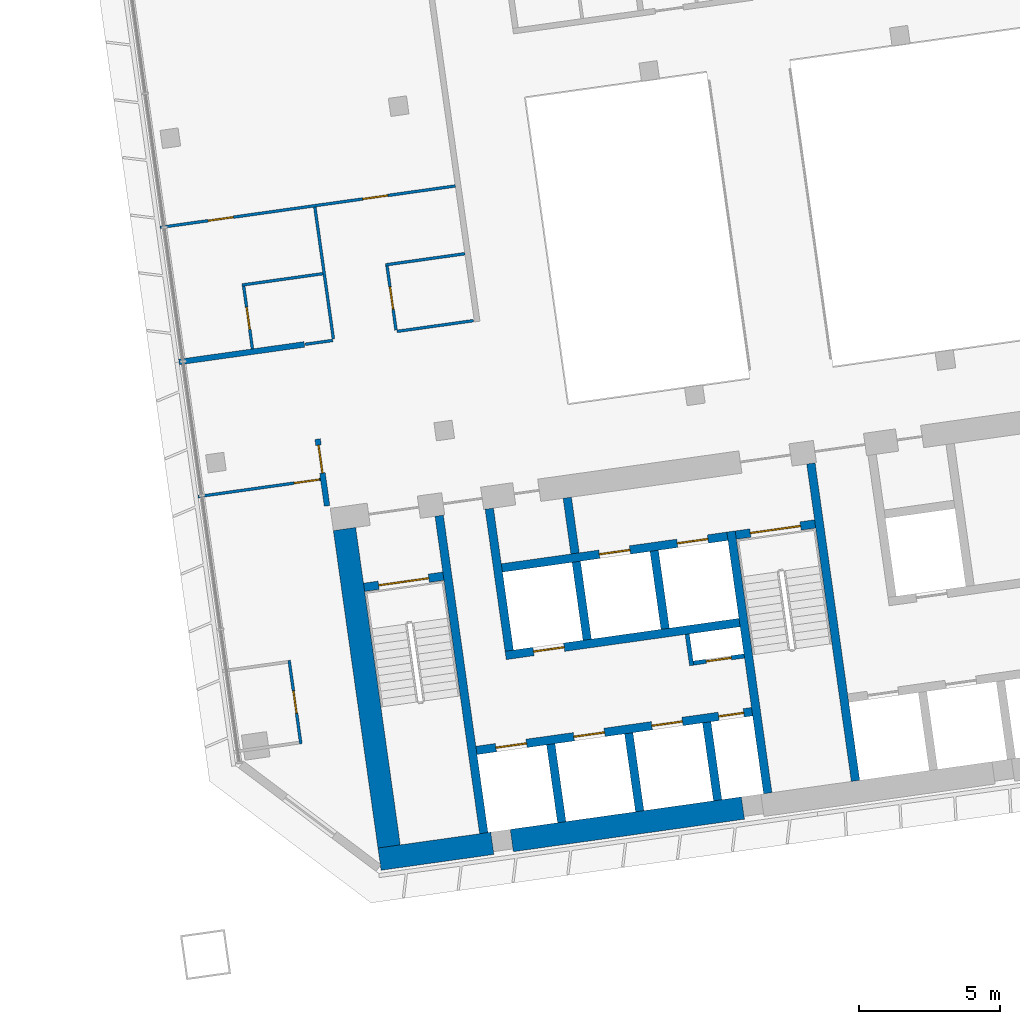
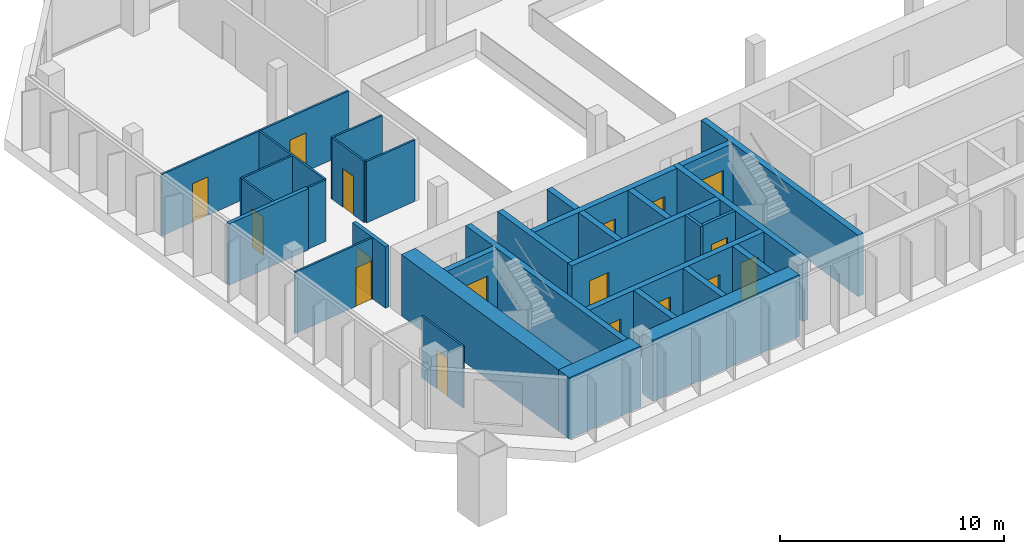
# One storey, part 19 of 26: 32 walls, 17 doors, 17 openings.
"""IFC4 building model written with IfcOpenShell, lengths in metres."""

from ifc_helpers import new_model, si_unit, direction, frame, frame_2d, origin, place, context, subcontext, project, spatial, rectangle, extrude, material, layer, layer_set, type_object, element, fill, save


model = new_model("IFC4")

# Units and contexts
model_context = context("Model", 3, precision=1e-05, world=origin(), true_north=direction((0.0, 1.0)))
body_context = subcontext(model_context, "Body", "Model", "MODEL_VIEW")
ifc_project = project(units=[si_unit("LENGTHUNIT", "METRE"), si_unit("AREAUNIT", "SQUARE_METRE"), si_unit("VOLUMEUNIT", "CUBIC_METRE"), si_unit("PLANEANGLEUNIT", "RADIAN"), si_unit("MASSUNIT", "GRAM", prefix="KILO")], contexts=[model_context])

# Site, building, storey
site_placement = place(None, origin())
site = spatial("IfcSite", under=ifc_project, at=site_placement, CompositionType="ELEMENT")
building_placement = place(site_placement, origin())
building = spatial("IfcBuilding", under=site, at=building_placement, Name="Mirante Cascada Hotel Towers", CompositionType="ELEMENT")
storey_placement = place(building_placement, frame((0.0, 0.0, 140.5)))
storey = spatial("IfcBuildingStorey", under=building, at=storey_placement, Name="L32", CompositionType="ELEMENT", Elevation=140.5)

# Wall
ifc_material_1 = material(Name="Fire-rated plasterboard on metal studs")
ifc_layer_1 = layer(ifc_material_1, 0.2)
ifc_layer_set_1 = layer_set([ifc_layer_1], Name="Compartment wall 200 EI 120")
wall_type_1 = type_object("IfcWallType", Name="Compartment wall 200 EI 120", PredefinedType="PARTITIONING", material=ifc_layer_set_1)
wall_1_placement = place(storey_placement, frame((34.4562, -1.3737, 0.0), z_axis=(0.0, 0.0, 1.0), x_axis=(-0.9902674, -0.1391779, 0.0)))
element("IfcWall", 1, at=wall_1_placement, inside=storey, type_object=wall_type_1, Name="Wall 2-L32-04", PredefinedType="PARTITIONING", context=body_context, shape_type="SweptSolid", body=[
    extrude(rectangle(XDim=4.5, YDim=0.2, at=frame_2d((2.25, 0.0))), origin(), (0.0, 0.0, 1.0), 3.35),
])

# Wall, opening, door
wall_2_placement = place(storey_placement, frame((34.9294, -4.7406, 0.0), z_axis=(0.0, 0.0, 1.0), x_axis=(0.1391635, -0.9902694, 0.0)))
wall_2 = element("IfcWall", 2, at=wall_2_placement, inside=storey, type_object=wall_type_1, Name="Wall 2-L32-32", PredefinedType="PARTITIONING", context=body_context, shape_type="SweptSolid", body=[
    extrude(rectangle(XDim=2.4001, YDim=0.2, at=frame_2d((1.2, 0.0))), origin(), (0.0, 0.0, 1.0), 3.35),
])
opening_1_placement = place(wall_2_placement, frame((0.2167, 0.0, 0.0)))
opening_1 = element("IfcOpeningElement", 3, at=opening_1_placement, cuts=wall_2, Name="Opening D2-L32-24", PredefinedType="OPENING", context=body_context, shape_type="SweptSolid", body=[
    extrude(rectangle(XDim=1.0, YDim=2.1, at=frame_2d((0.5, 1.05))), frame((0.0, 0.1, 0.0), z_axis=(0.0, -1.0, 0.0), x_axis=(1.0, 0.0, 0.0)), (0.0, 0.0, 1.0), 0.2),
])
ifc_material_2 = material(Name="Fire-rated timber door leaf", Category="wood")
door_type_1 = type_object("IfcDoorType", Name="Entrance door DG1 1000x2100 EI 60", OperationType="SINGLE_SWING_LEFT", PredefinedType="DOOR", material=ifc_material_2)
door_1_placement = place(opening_1_placement, frame((1.0, 0.0, 0.0), z_axis=(0.0, 0.0, 1.0), x_axis=(-1.0, 0.0, 0.0)))
door_1 = element("IfcDoor", 4, at=door_1_placement, inside=storey, type_object=door_type_1, Name="Door D2-L32-24", OperationType="SINGLE_SWING_RIGHT", OverallHeight=2.1, OverallWidth=1.0, PredefinedType="DOOR", context=body_context, shape_type="SweptSolid", body=[
    extrude(rectangle(XDim=1.0, YDim=2.1, at=frame_2d((0.5, 1.05))), frame((0.0, 0.025, 0.0), z_axis=(0.0, -1.0, 0.0), x_axis=(1.0, 0.0, 0.0)), (0.0, 0.0, 1.0), 0.05),
])
fill(opening_1, door_1)

# Wall
ifc_material_3 = material(Name="Masonry block", Category="masonry")
ifc_layer_2 = layer(ifc_material_3, 0.15)
ifc_layer_set_2 = layer_set([ifc_layer_2], Name="Core room partition 150 block EI 30")
wall_type_2 = type_object("IfcWallType", Name="Core room partition 150 block EI 30", PredefinedType="PARTITIONING", material=ifc_layer_set_2)
wall_3_placement = place(storey_placement, frame((48.2295, -12.793, 0.0), z_axis=(0.0, 0.0, 1.0), x_axis=(-0.1391935, 0.9902652, 0.0)))
element("IfcWall", 5, at=wall_3_placement, inside=storey, type_object=wall_type_2, Name="Core wall partition T2 L32 2", PredefinedType="PARTITIONING", context=body_context, shape_type="SweptSolid", body=[
    extrude(rectangle(XDim=1.1251, YDim=0.15, at=frame_2d((0.5626, 0.0))), origin(), (0.0, 0.0, 1.0), 3.35),
])

# Wall, opening, door
wall_4_placement = place(storey_placement, frame((48.2933, -12.7083, 0.0), z_axis=(0.0, 0.0, 1.0), x_axis=(0.990268, 0.1391734, 0.0)))
wall_4 = element("IfcWall", 6, at=wall_4_placement, inside=storey, type_object=wall_type_2, Name="Core wall partition T2 L32 3", PredefinedType="PARTITIONING", context=body_context, shape_type="SweptSolid", body=[
    extrude(rectangle(XDim=1.8251, YDim=0.15, at=frame_2d((0.9126, 0.0))), origin(), (0.0, 0.0, 1.0), 3.35),
])
opening_2_placement = place(wall_4_placement, frame((0.4625, 0.0, 0.0)))
opening_2 = element("IfcOpeningElement", 7, at=opening_2_placement, cuts=wall_4, Name="Opening D2-32-C23", PredefinedType="OPENING", context=body_context, shape_type="SweptSolid", body=[
    extrude(rectangle(XDim=0.9, YDim=2.1, at=frame_2d((0.45, 1.05))), frame((0.0, 0.075, 0.0), z_axis=(0.0, -1.0, 0.0), x_axis=(1.0, 0.0, 0.0)), (0.0, 0.0, 1.0), 0.15),
])
ifc_material_4 = material(Name="Hollow metal fire door leaf")
door_type_2 = type_object("IfcDoorType", Name="Fire door 900x2100 FD60", OperationType="NOTDEFINED", PredefinedType="DOOR", material=ifc_material_4)
door_2_placement = place(opening_2_placement, frame((0.9, 0.0, 0.0), z_axis=(0.0, 0.0, 1.0), x_axis=(-1.0, 0.0, 0.0)))
door_2 = element("IfcDoor", 8, at=door_2_placement, inside=storey, type_object=door_type_2, Name="Riser door T2 L32 23", OperationType="SINGLE_SWING_RIGHT", OverallHeight=2.1, OverallWidth=0.9, PredefinedType="DOOR", context=body_context, shape_type="SweptSolid", body=[
    extrude(rectangle(XDim=0.9, YDim=2.1, at=frame_2d((0.45, 1.05))), frame((0.0, 0.025, 0.0), z_axis=(0.0, -1.0, 0.0), x_axis=(1.0, 0.0, 0.0)), (0.0, 0.0, 1.0), 0.05),
])
fill(opening_2, door_2)

# Wall
ifc_material_5 = material(Name="Masonry block", Category="masonry")
ifc_layer_3 = layer(ifc_material_5, 0.3)
ifc_layer_set_3 = layer_set([ifc_layer_3], Name="Core wall 300 block EI 120")
wall_type_3 = type_object("IfcWallType", Name="Core wall 300 block EI 120", PredefinedType="PARTITIONING", material=ifc_layer_set_3)
wall_5_placement = place(storey_placement, frame((44.0843, -8.8061, 0.0), z_axis=(0.0, 0.0, 1.0), x_axis=(-0.1391951, 0.990265, 0.0)))
element("IfcWall", 9, at=wall_5_placement, inside=storey, type_object=wall_type_3, Name="Core wall partition T2 L32 1", PredefinedType="PARTITIONING", context=body_context, shape_type="SweptSolid", body=[
    extrude(rectangle(XDim=2.0001, YDim=0.3, at=frame_2d((1.0001, 0.0))), origin(), (0.0, 0.0, 1.0), 3.35),
])

# Wall, opening, door
ifc_material_6 = material(Name="Plasterboard on metal studs")
ifc_layer_4 = layer(ifc_material_6, 0.1)
ifc_layer_set_4 = layer_set([ifc_layer_4], Name="Partition 100")
wall_type_4 = type_object("IfcWallType", Name="Partition 100", PredefinedType="PARTITIONING", material=ifc_layer_set_4)
wall_6_placement = place(storey_placement, frame((30.6727, -6.7863, 0.0), z_axis=(0.0, 0.0, 1.0), x_axis=(0.9902665, 0.1391841, 0.0)))
wall_6 = element("IfcWall", 10, at=wall_6_placement, inside=storey, type_object=wall_type_4, Name="Wall 2-L32-03", PredefinedType="PARTITIONING", context=body_context, shape_type="SweptSolid", body=[
    extrude(rectangle(XDim=4.3999, YDim=0.1, at=frame_2d((2.2, 0.0))), origin(), (0.0, 0.0, 1.0), 3.35),
])
opening_3_placement = place(wall_6_placement, frame((3.45, 0.0, 0.0)))
opening_3 = element("IfcOpeningElement", 11, at=opening_3_placement, cuts=wall_6, Name="Opening D2-L32-01", PredefinedType="OPENING", context=body_context, shape_type="SweptSolid", body=[
    extrude(rectangle(XDim=0.9, YDim=2.1, at=frame_2d((0.45, 1.05))), frame((0.0, 0.05, 0.0), z_axis=(0.0, -1.0, 0.0), x_axis=(1.0, 0.0, 0.0)), (0.0, 0.0, 1.0), 0.1),
])
ifc_material_7 = material(Name="Timber door leaf", Category="wood")
door_type_3 = type_object("IfcDoorType", Name="Room door DG3 900x2100", OperationType="SINGLE_SWING_LEFT", PredefinedType="DOOR", material=ifc_material_7)
door_3_placement = place(opening_3_placement, frame((0.9, 0.0, 0.0), z_axis=(0.0, 0.0, 1.0), x_axis=(-1.0, 0.0, 0.0)))
door_3 = element("IfcDoor", 12, at=door_3_placement, inside=storey, type_object=door_type_3, Name="Door D2-L32-01", OperationType="SINGLE_SWING_RIGHT", OverallHeight=2.1, OverallWidth=0.9, PredefinedType="DOOR", context=body_context, shape_type="SweptSolid", body=[
    extrude(rectangle(XDim=0.9, YDim=2.1, at=frame_2d((0.45, 1.05))), frame((0.0, 0.025, 0.0), z_axis=(0.0, -1.0, 0.0), x_axis=(1.0, 0.0, 0.0)), (0.0, 0.0, 1.0), 0.05),
])
fill(opening_3, door_3)

# Walls
wall_7_placement = place(storey_placement, frame((34.4859, -1.3695, 0.0), z_axis=(0.0, 0.0, 1.0), x_axis=(0.9902801, 0.1390877, 0.0)))
element("IfcWall", 13, at=wall_7_placement, inside=storey, type_object=wall_type_4, Name="Wall 2-L32-05", PredefinedType="PARTITIONING", context=body_context, shape_type="SweptSolid", body=[
    extrude(rectangle(XDim=0.99, YDim=0.1, at=frame_2d((0.495, 0.0))), origin(), (0.0, 0.0, 1.0), 3.35),
])
wall_8_placement = place(storey_placement, frame((40.4671, -0.5289, 0.0), z_axis=(0.0, 0.0, 1.0), x_axis=(-0.9902645, -0.1391984, 0.0)))
element("IfcWall", 14, at=wall_8_placement, inside=storey, type_object=wall_type_4, Name="Wall 2-L32-06", PredefinedType="PARTITIONING", context=body_context, shape_type="SweptSolid", body=[
    extrude(rectangle(XDim=2.74, YDim=0.1, at=frame_2d((1.37, 0.0))), origin(), (0.0, 0.0, 1.0), 3.35),
])
wall_9_placement = place(storey_placement, frame((32.2407, 0.7385, 0.0), z_axis=(0.0, 0.0, 1.0), x_axis=(0.9902683, 0.1391714, 0.0)))
element("IfcWall", 15, at=wall_9_placement, inside=storey, type_object=wall_type_4, Name="Wall 2-L32-09", PredefinedType="PARTITIONING", context=body_context, shape_type="SweptSolid", body=[
    extrude(rectangle(XDim=2.9, YDim=0.1, at=frame_2d((1.45, 0.0))), origin(), (0.0, 0.0, 1.0), 3.35),
])
wall_10_placement = place(storey_placement, frame((40.1628, 1.8519, 0.0), z_axis=(0.0, 0.0, 1.0), x_axis=(-0.9902649, -0.1391957, 0.0)))
element("IfcWall", 16, at=wall_10_placement, inside=storey, type_object=wall_type_4, Name="Wall 2-L32-10", PredefinedType="PARTITIONING", context=body_context, shape_type="SweptSolid", body=[
    extrude(rectangle(XDim=2.8499, YDim=0.1, at=frame_2d((1.425, 0.0))), origin(), (0.0, 0.0, 1.0), 3.35),
])

# Wall, openings, doors
wall_11_placement = place(storey_placement, frame((29.3273, 2.7863, 0.0), z_axis=(0.0, 0.0, 1.0), x_axis=(0.9902686, 0.1391691, 0.0)))
wall_11 = element("IfcWall", 17, at=wall_11_placement, inside=storey, type_object=wall_type_4, Name="Wall 2-L32-11", PredefinedType="PARTITIONING", context=body_context, shape_type="SweptSolid", body=[
    extrude(rectangle(XDim=10.6001, YDim=0.1, at=frame_2d((5.3, 0.0))), origin(), (0.0, 0.0, 1.0), 3.35),
])
opening_4_placement = place(wall_11_placement, frame((1.725, 0.0, 0.0)))
opening_4 = element("IfcOpeningElement", 18, at=opening_4_placement, cuts=wall_11, Name="Opening D2-L32-02", PredefinedType="OPENING", context=body_context, shape_type="SweptSolid", body=[
    extrude(rectangle(XDim=0.9, YDim=2.1, at=frame_2d((0.45, 1.05))), frame((0.0, 0.05, 0.0), z_axis=(0.0, -1.0, 0.0), x_axis=(1.0, 0.0, 0.0)), (0.0, 0.0, 1.0), 0.1),
])
opening_5_placement = place(wall_11_placement, frame((7.275, 0.0, 0.0)))
opening_5 = element("IfcOpeningElement", 19, at=opening_5_placement, cuts=wall_11, Name="Opening D2-L32-03", PredefinedType="OPENING", context=body_context, shape_type="SweptSolid", body=[
    extrude(rectangle(XDim=0.9, YDim=2.1, at=frame_2d((0.45, 1.05))), frame((0.0, 0.05, 0.0), z_axis=(0.0, -1.0, 0.0), x_axis=(1.0, 0.0, 0.0)), (0.0, 0.0, 1.0), 0.1),
])
door_4_placement = place(opening_4_placement, origin())
door_4 = element("IfcDoor", 20, at=door_4_placement, inside=storey, type_object=door_type_3, Name="Door D2-L32-02", OperationType="SINGLE_SWING_LEFT", OverallHeight=2.1, OverallWidth=0.9, PredefinedType="DOOR", context=body_context, shape_type="SweptSolid", body=[
    extrude(rectangle(XDim=0.9, YDim=2.1, at=frame_2d((0.45, 1.05))), frame((0.0, 0.025, 0.0), z_axis=(0.0, -1.0, 0.0), x_axis=(1.0, 0.0, 0.0)), (0.0, 0.0, 1.0), 0.05),
])
fill(opening_4, door_4)
door_5_placement = place(opening_5_placement, origin())
door_5 = element("IfcDoor", 21, at=door_5_placement, inside=storey, type_object=door_type_3, Name="Door D2-L32-03", OperationType="SINGLE_SWING_LEFT", OverallHeight=2.1, OverallWidth=0.9, PredefinedType="DOOR", context=body_context, shape_type="SweptSolid", body=[
    extrude(rectangle(XDim=0.9, YDim=2.1, at=frame_2d((0.45, 1.05))), frame((0.0, 0.025, 0.0), z_axis=(0.0, -1.0, 0.0), x_axis=(1.0, 0.0, 0.0)), (0.0, 0.0, 1.0), 0.05),
])
fill(opening_5, door_5)

# Wall, opening, door
wall_12_placement = place(storey_placement, frame((33.9145, -12.6084, 0.0), z_axis=(0.0, 0.0, 1.0), x_axis=(0.1391624, -0.9902696, 0.0)))
wall_12 = element("IfcWall", 22, at=wall_12_placement, inside=storey, type_object=wall_type_4, Name="Wall 2-L32-30", PredefinedType="PARTITIONING", context=body_context, shape_type="SweptSolid", body=[
    extrude(rectangle(XDim=3.0001, YDim=0.1, at=frame_2d((1.5001, 0.0))), origin(), (0.0, 0.0, 1.0), 3.35),
])
opening_6_placement = place(wall_12_placement, frame((1.1, 0.0, 0.0)))
opening_6 = element("IfcOpeningElement", 23, at=opening_6_placement, cuts=wall_12, Name="Opening D2-L32-22", PredefinedType="OPENING", context=body_context, shape_type="SweptSolid", body=[
    extrude(rectangle(XDim=0.8, YDim=2.1, at=frame_2d((0.4, 1.05))), frame((0.0, 0.05, 0.0), z_axis=(0.0, -1.0, 0.0), x_axis=(1.0, 0.0, 0.0)), (0.0, 0.0, 1.0), 0.1),
])
ifc_material_8 = material(Name="Timber door leaf", Category="wood")
door_type_4 = type_object("IfcDoorType", Name="Bathroom door DG4 800x2100", OperationType="SINGLE_SWING_LEFT", PredefinedType="DOOR", material=ifc_material_8)
door_6_placement = place(opening_6_placement, origin())
door_6 = element("IfcDoor", 24, at=door_6_placement, inside=storey, type_object=door_type_4, Name="Door D2-L32-22", OperationType="SINGLE_SWING_LEFT", OverallHeight=2.1, OverallWidth=0.8, PredefinedType="DOOR", context=body_context, shape_type="SweptSolid", body=[
    extrude(rectangle(XDim=0.8, YDim=2.1, at=frame_2d((0.4, 1.05))), frame((0.0, 0.025, 0.0), z_axis=(0.0, -1.0, 0.0), x_axis=(1.0, 0.0, 0.0)), (0.0, 0.0, 1.0), 0.05),
])
fill(opening_6, door_6)

wall_13_placement = place(storey_placement, frame((32.6103, -1.5322, 0.0), z_axis=(0.0, 0.0, 1.0), x_axis=(-0.1391561, 0.9902705, 0.0)))
wall_13 = element("IfcWall", 25, at=wall_13_placement, inside=storey, type_object=wall_type_4, Name="Wall 2-L32-31", PredefinedType="PARTITIONING", context=body_context, shape_type="SweptSolid", body=[
    extrude(rectangle(XDim=2.25, YDim=0.1, at=frame_2d((1.125, 0.0))), origin(), (0.0, 0.0, 1.0), 3.35),
])
opening_7_placement = place(wall_13_placement, frame((0.7, 0.0, 0.0)))
opening_7 = element("IfcOpeningElement", 26, at=opening_7_placement, cuts=wall_13, Name="Opening D2-L32-23", PredefinedType="OPENING", context=body_context, shape_type="SweptSolid", body=[
    extrude(rectangle(XDim=0.8, YDim=2.1, at=frame_2d((0.4, 1.05))), frame((0.0, 0.05, 0.0), z_axis=(0.0, -1.0, 0.0), x_axis=(1.0, 0.0, 0.0)), (0.0, 0.0, 1.0), 0.1),
])
door_7_placement = place(opening_7_placement, frame((0.8, 0.0, 0.0), z_axis=(0.0, 0.0, 1.0), x_axis=(-1.0, 0.0, 0.0)))
door_7 = element("IfcDoor", 27, at=door_7_placement, inside=storey, type_object=door_type_4, Name="Door D2-L32-23", OperationType="SINGLE_SWING_RIGHT", OverallHeight=2.1, OverallWidth=0.8, PredefinedType="DOOR", context=body_context, shape_type="SweptSolid", body=[
    extrude(rectangle(XDim=0.8, YDim=2.1, at=frame_2d((0.4, 1.05))), frame((0.0, 0.025, 0.0), z_axis=(0.0, -1.0, 0.0), x_axis=(1.0, 0.0, 0.0)), (0.0, 0.0, 1.0), 0.05),
])
fill(opening_7, door_7)

# Wall
wall_14_placement = place(storey_placement, frame((35.489, -1.1781, 0.0), z_axis=(0.0, 0.0, 1.0), x_axis=(-0.1391613, 0.9902697, 0.0)))
element("IfcWall", 28, at=wall_14_placement, inside=storey, type_object=wall_type_4, Name="Wall 2-L32-33", PredefinedType="PARTITIONING", context=body_context, shape_type="SweptSolid", body=[
    extrude(rectangle(XDim=4.7334, YDim=0.1, at=frame_2d((2.3667, 0.0))), origin(), (0.0, 0.0, 1.0), 3.35),
])

# Wall, opening, door
wall_15_placement = place(storey_placement, frame((37.397, 1.4127, 0.0), z_axis=(0.0, 0.0, 1.0), x_axis=(0.1391749, -0.9902678, 0.0)))
wall_15 = element("IfcWall", 29, at=wall_15_placement, inside=storey, type_object=wall_type_4, Name="Wall 2-L32-34", PredefinedType="PARTITIONING", context=body_context, shape_type="SweptSolid", body=[
    extrude(rectangle(XDim=2.3, YDim=0.1, at=frame_2d((1.15, 0.0))), origin(), (0.0, 0.0, 1.0), 3.35),
])
opening_8_placement = place(wall_15_placement, frame((0.75, 0.0, 0.0)))
opening_8 = element("IfcOpeningElement", 30, at=opening_8_placement, cuts=wall_15, Name="Opening D2-L32-25", PredefinedType="OPENING", context=body_context, shape_type="SweptSolid", body=[
    extrude(rectangle(XDim=0.8, YDim=2.1, at=frame_2d((0.4, 1.05))), frame((0.0, 0.05, 0.0), z_axis=(0.0, -1.0, 0.0), x_axis=(1.0, 0.0, 0.0)), (0.0, 0.0, 1.0), 0.1),
])
door_8_placement = place(opening_8_placement, origin())
door_8 = element("IfcDoor", 31, at=door_8_placement, inside=storey, type_object=door_type_4, Name="Door D2-L32-25", OperationType="SINGLE_SWING_LEFT", OverallHeight=2.1, OverallWidth=0.8, PredefinedType="DOOR", context=body_context, shape_type="SweptSolid", body=[
    extrude(rectangle(XDim=0.8, YDim=2.1, at=frame_2d((0.4, 1.05))), frame((0.0, 0.025, 0.0), z_axis=(0.0, -1.0, 0.0), x_axis=(1.0, 0.0, 0.0)), (0.0, 0.0, 1.0), 0.05),
])
fill(opening_8, door_8)

# Walls
ifc_material_9 = material(Name="Concrete C50/60", Category="concrete")
ifc_layer_5 = layer(ifc_material_9, 0.3)
ifc_layer_set_5 = layer_set([ifc_layer_5], Name="RC core wall 300 C50/60")
wall_type_5 = type_object("IfcWallType", Name="RC core wall 300 C50/60", PredefinedType="SHEAR", material=ifc_layer_set_5)
wall_16_placement = place(storey_placement, frame((40.8373, -18.7548, 0.0), z_axis=(0.0, 0.0, 1.0), x_axis=(-0.1391749, 0.9902678, 0.0)))
element("IfcWall", 32, at=wall_16_placement, inside=storey, type_object=wall_type_5, Name="Core wall T2:L32:5", PredefinedType="SHEAR", context=body_context, shape_type="SweptSolid", body=[
    extrude(rectangle(XDim=11.4, YDim=0.3, at=frame_2d((5.7, 0.0))), origin(), (0.0, 0.0, 1.0), 3.35),
])
wall_17_placement = place(storey_placement, frame((50.938, -17.3352, 0.0), z_axis=(0.0, 0.0, 1.0), x_axis=(-0.1391706, 0.9902684, 0.0)))
element("IfcWall", 33, at=wall_17_placement, inside=storey, type_object=wall_type_5, Name="Core wall T2:L32:6", PredefinedType="SHEAR", context=body_context, shape_type="SweptSolid", body=[
    extrude(rectangle(XDim=9.4, YDim=0.3, at=frame_2d((4.7, 0.0))), origin(), (0.0, 0.0, 1.0), 3.35),
])
wall_18_placement = place(storey_placement, frame((54.0574, -16.8968, 0.0), z_axis=(0.0, 0.0, 1.0), x_axis=(-0.1391761, 0.9902677, 0.0)))
element("IfcWall", 34, at=wall_18_placement, inside=storey, type_object=wall_type_5, Name="Core wall T2:L32:7", PredefinedType="SHEAR", context=body_context, shape_type="SweptSolid", body=[
    extrude(rectangle(XDim=11.3999, YDim=0.3, at=frame_2d((5.7, 0.0))), origin(), (0.0, 0.0, 1.0), 3.35),
])

# Wall, opening, door
wall_19_placement = place(storey_placement, frame((36.5791, -10.0123, 0.0), z_axis=(0.0, 0.0, 1.0), x_axis=(0.9902704, 0.1391564, 0.0)))
wall_19 = element("IfcWall", 35, at=wall_19_placement, inside=storey, type_object=wall_type_5, Name="Core wall T2:L32:9", PredefinedType="SHEAR", context=body_context, shape_type="SweptSolid", body=[
    extrude(rectangle(XDim=2.85, YDim=0.3, at=frame_2d((1.425, 0.0))), origin(), (0.0, 0.0, 1.0), 3.35),
])
opening_9_placement = place(wall_19_placement, frame((0.525, 0.0, 0.0)))
opening_9 = element("IfcOpeningElement", 36, at=opening_9_placement, cuts=wall_19, Name="Opening D2-32-C13", PredefinedType="OPENING", context=body_context, shape_type="SweptSolid", body=[
    extrude(rectangle(XDim=1.8, YDim=2.1, at=frame_2d((0.9, 1.05))), frame((0.0, 0.15, 0.0), z_axis=(0.0, -1.0, 0.0), x_axis=(1.0, 0.0, 0.0)), (0.0, 0.0, 1.0), 0.3),
])
ifc_material_10 = material(Name="Hollow metal fire door leaf")
door_type_5 = type_object("IfcDoorType", Name="Double fire door 1800x2100 FD60", OperationType="DOUBLE_DOOR_SINGLE_SWING", PredefinedType="DOOR", material=ifc_material_10)
door_9_placement = place(opening_9_placement, frame((1.8, 0.0, 0.0), z_axis=(0.0, 0.0, 1.0), x_axis=(-1.0, 0.0, 0.0)))
door_9 = element("IfcDoor", 37, at=door_9_placement, inside=storey, type_object=door_type_5, Name="Stair door T2 L32 13", OperationType="DOUBLE_DOOR_SINGLE_SWING", OverallHeight=2.1, OverallWidth=1.8, PredefinedType="DOOR", context=body_context, shape_type="SweptSolid", body=[
    extrude(rectangle(XDim=0.895, YDim=2.1, at=frame_2d((0.4475, 1.05))), frame((0.0, 0.025, 0.0), z_axis=(0.0, -1.0, 0.0), x_axis=(1.0, 0.0, 0.0)), (0.0, 0.0, 1.0), 0.05),
    extrude(rectangle(XDim=0.895, YDim=2.1, at=frame_2d((1.3525, 1.05))), frame((0.0, 0.025, 0.0), z_axis=(0.0, -1.0, 0.0), x_axis=(1.0, 0.0, 0.0)), (0.0, 0.0, 1.0), 0.05),
])
fill(opening_9, door_9)

wall_20_placement = place(storey_placement, frame((49.7992, -8.1544, 0.0), z_axis=(0.0, 0.0, 1.0), x_axis=(0.9902656, 0.1391909, 0.0)))
wall_20 = element("IfcWall", 38, at=wall_20_placement, inside=storey, type_object=wall_type_5, Name="Core wall T2:L32:10", PredefinedType="SHEAR", context=body_context, shape_type="SweptSolid", body=[
    extrude(rectangle(XDim=2.85, YDim=0.3, at=frame_2d((1.425, 0.0))), origin(), (0.0, 0.0, 1.0), 3.35),
])
opening_10_placement = place(wall_20_placement, frame((0.525, 0.0, 0.0)))
opening_10 = element("IfcOpeningElement", 39, at=opening_10_placement, cuts=wall_20, Name="Opening D2-32-C15", PredefinedType="OPENING", context=body_context, shape_type="SweptSolid", body=[
    extrude(rectangle(XDim=1.8, YDim=2.1, at=frame_2d((0.9, 1.05))), frame((0.0, 0.15, 0.0), z_axis=(0.0, -1.0, 0.0), x_axis=(1.0, 0.0, 0.0)), (0.0, 0.0, 1.0), 0.3),
])
door_10_placement = place(opening_10_placement, frame((1.8, 0.0, 0.0), z_axis=(0.0, 0.0, 1.0), x_axis=(-1.0, 0.0, 0.0)))
door_10 = element("IfcDoor", 40, at=door_10_placement, inside=storey, type_object=door_type_5, Name="Stair door T2 L32 15", OperationType="DOUBLE_DOOR_SINGLE_SWING", OverallHeight=2.1, OverallWidth=1.8, PredefinedType="DOOR", context=body_context, shape_type="SweptSolid", body=[
    extrude(rectangle(XDim=0.895, YDim=2.1, at=frame_2d((0.4475, 1.05))), frame((0.0, 0.025, 0.0), z_axis=(0.0, -1.0, 0.0), x_axis=(1.0, 0.0, 0.0)), (0.0, 0.0, 1.0), 0.05),
    extrude(rectangle(XDim=0.895, YDim=2.1, at=frame_2d((1.3525, 1.05))), frame((0.0, 0.025, 0.0), z_axis=(0.0, -1.0, 0.0), x_axis=(1.0, 0.0, 0.0)), (0.0, 0.0, 1.0), 0.05),
])
fill(opening_10, door_10)

# Wall, openings, doors
wall_21_placement = place(storey_placement, frame((40.5753, -15.8126, 0.0), z_axis=(0.0, 0.0, 1.0), x_axis=(0.9902682, 0.1391725, 0.0)))
wall_21 = element("IfcWall", 41, at=wall_21_placement, inside=storey, type_object=wall_type_5, Name="Core wall T2:L32:12", PredefinedType="SHEAR", context=body_context, shape_type="SweptSolid", body=[
    extrude(rectangle(XDim=9.8999, YDim=0.3, at=frame_2d((4.95, 0.0))), origin(), (0.0, 0.0, 1.0), 3.35),
])
opening_11_placement = place(wall_21_placement, frame((0.7, 0.0, 0.0)))
opening_11 = element("IfcOpeningElement", 42, at=opening_11_placement, cuts=wall_21, Name="Opening LD", PredefinedType="OPENING", context=body_context, shape_type="SweptSolid", body=[
    extrude(rectangle(XDim=1.1, YDim=2.1, at=frame_2d((0.55, 1.05))), frame((0.0, 0.15, 0.0), z_axis=(0.0, -1.0, 0.0), x_axis=(1.0, 0.0, 0.0)), (0.0, 0.0, 1.0), 0.3),
])
opening_12_placement = place(wall_21_placement, frame((3.5, 0.0, 0.0)))
opening_12 = element("IfcOpeningElement", 43, at=opening_12_placement, cuts=wall_21, Name="Opening LD", PredefinedType="OPENING", context=body_context, shape_type="SweptSolid", body=[
    extrude(rectangle(XDim=1.1, YDim=2.1, at=frame_2d((0.55, 1.05))), frame((0.0, 0.15, 0.0), z_axis=(0.0, -1.0, 0.0), x_axis=(1.0, 0.0, 0.0)), (0.0, 0.0, 1.0), 0.3),
])
opening_13_placement = place(wall_21_placement, frame((6.3, 0.0, 0.0)))
opening_13 = element("IfcOpeningElement", 44, at=opening_13_placement, cuts=wall_21, Name="Opening LD", PredefinedType="OPENING", context=body_context, shape_type="SweptSolid", body=[
    extrude(rectangle(XDim=1.1, YDim=2.1, at=frame_2d((0.55, 1.05))), frame((0.0, 0.15, 0.0), z_axis=(0.0, -1.0, 0.0), x_axis=(1.0, 0.0, 0.0)), (0.0, 0.0, 1.0), 0.3),
])
opening_14_placement = place(wall_21_placement, frame((8.7, 0.0, 0.0)))
opening_14 = element("IfcOpeningElement", 45, at=opening_14_placement, cuts=wall_21, Name="Opening D2-32-C22", PredefinedType="OPENING", context=body_context, shape_type="SweptSolid", body=[
    extrude(rectangle(XDim=0.9, YDim=2.1, at=frame_2d((0.45, 1.05))), frame((0.0, 0.15, 0.0), z_axis=(0.0, -1.0, 0.0), x_axis=(1.0, 0.0, 0.0)), (0.0, 0.0, 1.0), 0.3),
])
door_11_placement = place(opening_14_placement, frame((0.9, 0.0, 0.0), z_axis=(0.0, 0.0, 1.0), x_axis=(-1.0, 0.0, 0.0)))
door_11 = element("IfcDoor", 46, at=door_11_placement, inside=storey, type_object=door_type_2, Name="Riser door T2 L32 22", OperationType="SINGLE_SWING_RIGHT", OverallHeight=2.1, OverallWidth=0.9, PredefinedType="DOOR", context=body_context, shape_type="SweptSolid", body=[
    extrude(rectangle(XDim=0.9, YDim=2.1, at=frame_2d((0.45, 1.05))), frame((0.0, 0.025, 0.0), z_axis=(0.0, -1.0, 0.0), x_axis=(1.0, 0.0, 0.0)), (0.0, 0.0, 1.0), 0.05),
])
fill(opening_14, door_11)
ifc_material_11 = material(Name="Stainless steel", Category="steel")
door_type_6 = type_object("IfcDoorType", Name="Lift landing door 1100x2100 EI 120", OperationType="DOUBLE_DOOR_SLIDING", PredefinedType="DOOR", material=ifc_material_11)
door_12_placement = place(opening_11_placement, origin())
door_12 = element("IfcDoor", 47, at=door_12_placement, inside=storey, type_object=door_type_6, Name="Lift landing door HR2-1 L32", OperationType="DOUBLE_DOOR_SLIDING", OverallHeight=2.1, OverallWidth=1.1, PredefinedType="DOOR", context=body_context, shape_type="SweptSolid", body=[
    extrude(rectangle(XDim=0.545, YDim=2.1, at=frame_2d((0.2725, 1.05))), frame((0.0, 0.025, 0.0), z_axis=(0.0, -1.0, 0.0), x_axis=(1.0, 0.0, 0.0)), (0.0, 0.0, 1.0), 0.05),
    extrude(rectangle(XDim=0.545, YDim=2.1, at=frame_2d((0.8275, 1.05))), frame((0.0, 0.025, 0.0), z_axis=(0.0, -1.0, 0.0), x_axis=(1.0, 0.0, 0.0)), (0.0, 0.0, 1.0), 0.05),
])
fill(opening_11, door_12)
door_13_placement = place(opening_12_placement, origin())
door_13 = element("IfcDoor", 48, at=door_13_placement, inside=storey, type_object=door_type_6, Name="Lift landing door HR2-2 L32", OperationType="DOUBLE_DOOR_SLIDING", OverallHeight=2.1, OverallWidth=1.1, PredefinedType="DOOR", context=body_context, shape_type="SweptSolid", body=[
    extrude(rectangle(XDim=0.545, YDim=2.1, at=frame_2d((0.2725, 1.05))), frame((0.0, 0.025, 0.0), z_axis=(0.0, -1.0, 0.0), x_axis=(1.0, 0.0, 0.0)), (0.0, 0.0, 1.0), 0.05),
    extrude(rectangle(XDim=0.545, YDim=2.1, at=frame_2d((0.8275, 1.05))), frame((0.0, 0.025, 0.0), z_axis=(0.0, -1.0, 0.0), x_axis=(1.0, 0.0, 0.0)), (0.0, 0.0, 1.0), 0.05),
])
fill(opening_12, door_13)
door_14_placement = place(opening_13_placement, origin())
door_14 = element("IfcDoor", 49, at=door_14_placement, inside=storey, type_object=door_type_6, Name="Lift landing door HR2-3 L32", OperationType="DOUBLE_DOOR_SLIDING", OverallHeight=2.1, OverallWidth=1.1, PredefinedType="DOOR", context=body_context, shape_type="SweptSolid", body=[
    extrude(rectangle(XDim=0.545, YDim=2.1, at=frame_2d((0.2725, 1.05))), frame((0.0, 0.025, 0.0), z_axis=(0.0, -1.0, 0.0), x_axis=(1.0, 0.0, 0.0)), (0.0, 0.0, 1.0), 0.05),
    extrude(rectangle(XDim=0.545, YDim=2.1, at=frame_2d((0.8275, 1.05))), frame((0.0, 0.025, 0.0), z_axis=(0.0, -1.0, 0.0), x_axis=(1.0, 0.0, 0.0)), (0.0, 0.0, 1.0), 0.05),
])
fill(opening_13, door_14)

# Wall, opening, door
wall_22_placement = place(storey_placement, frame((41.6153, -12.435, 0.0), z_axis=(0.0, 0.0, 1.0), x_axis=(0.9902691, 0.139166, 0.0)))
wall_22 = element("IfcWall", 50, at=wall_22_placement, inside=storey, type_object=wall_type_5, Name="Core wall T2:L32:13", PredefinedType="SHEAR", context=body_context, shape_type="SweptSolid", body=[
    extrude(rectangle(XDim=8.4, YDim=0.3, at=frame_2d((4.2, 0.0))), origin(), (0.0, 0.0, 1.0), 3.35),
])
opening_15_placement = place(wall_22_placement, frame((1.0, 0.0, 0.0)))
opening_15 = element("IfcOpeningElement", 51, at=opening_15_placement, cuts=wall_22, Name="Opening LD", PredefinedType="OPENING", context=body_context, shape_type="SweptSolid", body=[
    extrude(rectangle(XDim=1.1, YDim=2.1, at=frame_2d((0.55, 1.05))), frame((0.0, 0.15, 0.0), z_axis=(0.0, -1.0, 0.0), x_axis=(1.0, 0.0, 0.0)), (0.0, 0.0, 1.0), 0.3),
])
door_15_placement = place(opening_15_placement, origin())
door_15 = element("IfcDoor", 52, at=door_15_placement, inside=storey, type_object=door_type_6, Name="Lift landing door HR2-4 L32", OperationType="DOUBLE_DOOR_SLIDING", OverallHeight=2.1, OverallWidth=1.1, PredefinedType="DOOR", context=body_context, shape_type="SweptSolid", body=[
    extrude(rectangle(XDim=0.545, YDim=2.1, at=frame_2d((0.2725, 1.05))), frame((0.0, 0.025, 0.0), z_axis=(0.0, -1.0, 0.0), x_axis=(1.0, 0.0, 0.0)), (0.0, 0.0, 1.0), 0.05),
    extrude(rectangle(XDim=0.545, YDim=2.1, at=frame_2d((0.8275, 1.05))), frame((0.0, 0.025, 0.0), z_axis=(0.0, -1.0, 0.0), x_axis=(1.0, 0.0, 0.0)), (0.0, 0.0, 1.0), 0.05),
])
fill(opening_15, door_15)

# Wall, openings, doors
wall_23_placement = place(storey_placement, frame((41.481, -9.3234, 0.0), z_axis=(0.0, 0.0, 1.0), x_axis=(0.9902679, 0.1391741, 0.0)))
wall_23 = element("IfcWall", 53, at=wall_23_placement, inside=storey, type_object=wall_type_5, Name="Core wall T2:L32:14", PredefinedType="SHEAR", context=body_context, shape_type="SweptSolid", body=[
    extrude(rectangle(XDim=8.0999, YDim=0.3, at=frame_2d((4.05, 0.0))), origin(), (0.0, 0.0, 1.0), 3.35),
])
opening_16_placement = place(wall_23_placement, frame((3.5, 0.0, 0.0)))
opening_16 = element("IfcOpeningElement", 54, at=opening_16_placement, cuts=wall_23, Name="Opening LD", PredefinedType="OPENING", context=body_context, shape_type="SweptSolid", body=[
    extrude(rectangle(XDim=1.1, YDim=2.1, at=frame_2d((0.55, 1.05))), frame((0.0, 0.15, 0.0), z_axis=(0.0, -1.0, 0.0), x_axis=(1.0, 0.0, 0.0)), (0.0, 0.0, 1.0), 0.3),
])
opening_17_placement = place(wall_23_placement, frame((6.3, 0.0, 0.0)))
opening_17 = element("IfcOpeningElement", 55, at=opening_17_placement, cuts=wall_23, Name="Opening LD", PredefinedType="OPENING", context=body_context, shape_type="SweptSolid", body=[
    extrude(rectangle(XDim=1.1, YDim=2.1, at=frame_2d((0.55, 1.05))), frame((0.0, 0.15, 0.0), z_axis=(0.0, -1.0, 0.0), x_axis=(1.0, 0.0, 0.0)), (0.0, 0.0, 1.0), 0.3),
])
door_16_placement = place(opening_16_placement, origin())
door_16 = element("IfcDoor", 56, at=door_16_placement, inside=storey, type_object=door_type_6, Name="Lift landing door FF3 L32", OperationType="DOUBLE_DOOR_SLIDING", OverallHeight=2.1, OverallWidth=1.1, PredefinedType="DOOR", context=body_context, shape_type="SweptSolid", body=[
    extrude(rectangle(XDim=0.545, YDim=2.1, at=frame_2d((0.2725, 1.05))), frame((0.0, 0.025, 0.0), z_axis=(0.0, -1.0, 0.0), x_axis=(1.0, 0.0, 0.0)), (0.0, 0.0, 1.0), 0.05),
    extrude(rectangle(XDim=0.545, YDim=2.1, at=frame_2d((0.8275, 1.05))), frame((0.0, 0.025, 0.0), z_axis=(0.0, -1.0, 0.0), x_axis=(1.0, 0.0, 0.0)), (0.0, 0.0, 1.0), 0.05),
])
fill(opening_16, door_16)
door_17_placement = place(opening_17_placement, origin())
door_17 = element("IfcDoor", 57, at=door_17_placement, inside=storey, type_object=door_type_6, Name="Lift landing door FF4 L32", OperationType="DOUBLE_DOOR_SLIDING", OverallHeight=2.1, OverallWidth=1.1, PredefinedType="DOOR", context=body_context, shape_type="SweptSolid", body=[
    extrude(rectangle(XDim=0.545, YDim=2.1, at=frame_2d((0.2725, 1.05))), frame((0.0, 0.025, 0.0), z_axis=(0.0, -1.0, 0.0), x_axis=(1.0, 0.0, 0.0)), (0.0, 0.0, 1.0), 0.05),
    extrude(rectangle(XDim=0.545, YDim=2.1, at=frame_2d((0.8275, 1.05))), frame((0.0, 0.025, 0.0), z_axis=(0.0, -1.0, 0.0), x_axis=(1.0, 0.0, 0.0)), (0.0, 0.0, 1.0), 0.05),
])
fill(opening_17, door_17)

# Walls
wall_24_placement = place(storey_placement, frame((43.61, -18.3651, 0.0), z_axis=(0.0, 0.0, 1.0), x_axis=(-0.1391459, 0.9902719, 0.0)))
element("IfcWall", 58, at=wall_24_placement, inside=storey, type_object=wall_type_5, Name="Core wall T2:L32:15", PredefinedType="SHEAR", context=body_context, shape_type="SweptSolid", body=[
    extrude(rectangle(XDim=2.7999, YDim=0.3, at=frame_2d((1.4, 0.0))), origin(), (0.0, 0.0, 1.0), 3.35),
])
wall_25_placement = place(storey_placement, frame((46.3828, -17.9754, 0.0), z_axis=(0.0, 0.0, 1.0), x_axis=(-0.139181, 0.990267, 0.0)))
element("IfcWall", 59, at=wall_25_placement, inside=storey, type_object=wall_type_5, Name="Core wall T2:L32:16", PredefinedType="SHEAR", context=body_context, shape_type="SweptSolid", body=[
    extrude(rectangle(XDim=2.8, YDim=0.3, at=frame_2d((1.4, 0.0))), origin(), (0.0, 0.0, 1.0), 3.35),
])
wall_26_placement = place(storey_placement, frame((49.1555, -17.5857, 0.0), z_axis=(0.0, 0.0, 1.0), x_axis=(-0.1391459, 0.9902719, 0.0)))
element("IfcWall", 60, at=wall_26_placement, inside=storey, type_object=wall_type_5, Name="Core wall T2:L32:17", PredefinedType="SHEAR", context=body_context, shape_type="SweptSolid", body=[
    extrude(rectangle(XDim=2.7999, YDim=0.3, at=frame_2d((1.4, 0.0))), origin(), (0.0, 0.0, 1.0), 3.35),
])
for number, where, z_axis, x_axis, name in (
    (61, (44.5157, -11.8759, 0.0), (0.0, 0.0, 1.0), (-0.139181, 0.990267, 0.0), "Core wall T2:L32:18"),
    (62, (47.2885, -11.4862, 0.0), (0.0, 0.0, 1.0), (-0.139181, 0.990267, 0.0), "Core wall T2:L32:19"),
):
    element("IfcWall", number, at=place(storey_placement, frame(where, z_axis=z_axis, x_axis=x_axis)), inside=storey, type_object=wall_type_5, Name=name, PredefinedType="SHEAR", context=body_context, shape_type="SweptSolid", body=[
        extrude(rectangle(XDim=2.8, YDim=0.3, at=frame_2d((1.4, 0.0))), origin(), (0.0, 0.0, 1.0), 3.35),
    ])
wall_27_placement = place(storey_placement, frame((41.743, -12.2656, 0.0), z_axis=(0.0, 0.0, 1.0), x_axis=(-0.1391755, 0.9902677, 0.0)))
element("IfcWall", 63, at=wall_27_placement, inside=storey, type_object=wall_type_5, Name="Core wall T2:L32:20", PredefinedType="SHEAR", context=body_context, shape_type="SweptSolid", body=[
    extrude(rectangle(XDim=5.1, YDim=0.3, at=frame_2d((2.55, 0.0))), origin(), (0.0, 0.0, 1.0), 3.35),
])
ifc_material_12 = material(Name="Concrete C50/60", Category="concrete")
ifc_layer_6 = layer(ifc_material_12, 0.8)
ifc_layer_set_6 = layer_set([ifc_layer_6], Name="RC core wall 800 C50/60")
wall_type_6 = type_object("IfcWallType", Name="RC core wall 800 C50/60", PredefinedType="SHEAR", material=ifc_layer_set_6)
wall_28_placement = place(storey_placement, frame((37.1299, -19.6798, 0.0), z_axis=(0.0, 0.0, 1.0), x_axis=(0.9902665, 0.1391845, 0.0)))
element("IfcWall", 64, at=wall_28_placement, inside=storey, type_object=wall_type_6, Name="Core wall T2:L32:1.1", PredefinedType="SHEAR", context=body_context, shape_type="SweptSolid", body=[
    extrude(rectangle(XDim=4.05, YDim=0.8, at=frame_2d((2.025, 0.0))), origin(), (0.0, 0.0, 1.0), 3.35),
])
wall_29_placement = place(storey_placement, frame((41.8337, -19.0187, 0.0), z_axis=(0.0, 0.0, 1.0), x_axis=(0.9902686, 0.1391692, 0.0)))
element("IfcWall", 65, at=wall_29_placement, inside=storey, type_object=wall_type_6, Name="Core wall T2:L32:1.2", PredefinedType="SHEAR", context=body_context, shape_type="SweptSolid", body=[
    extrude(rectangle(XDim=8.3, YDim=0.8, at=frame_2d((4.15, 0.0))), origin(), (0.0, 0.0, 1.0), 3.35),
])
wall_30_placement = place(storey_placement, frame((37.4704, -19.228, 0.0), z_axis=(0.0, 0.0, 1.0), x_axis=(-0.1391749, 0.9902678, 0.0)))
element("IfcWall", 66, at=wall_30_placement, inside=storey, type_object=wall_type_6, Name="Core wall T2:L32:3", PredefinedType="SHEAR", context=body_context, shape_type="SweptSolid", body=[
    extrude(rectangle(XDim=11.4, YDim=0.8, at=frame_2d((5.7, 0.0))), origin(), (0.0, 0.0, 1.0), 3.35),
])

save(model, "model.ifc")
